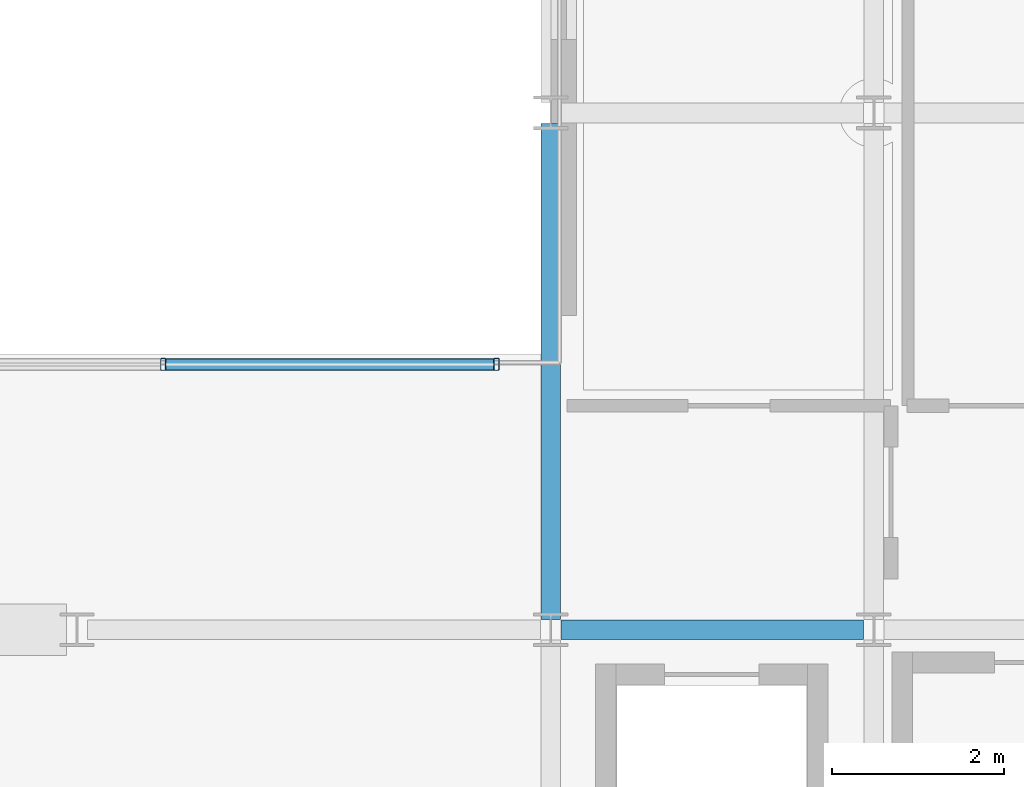
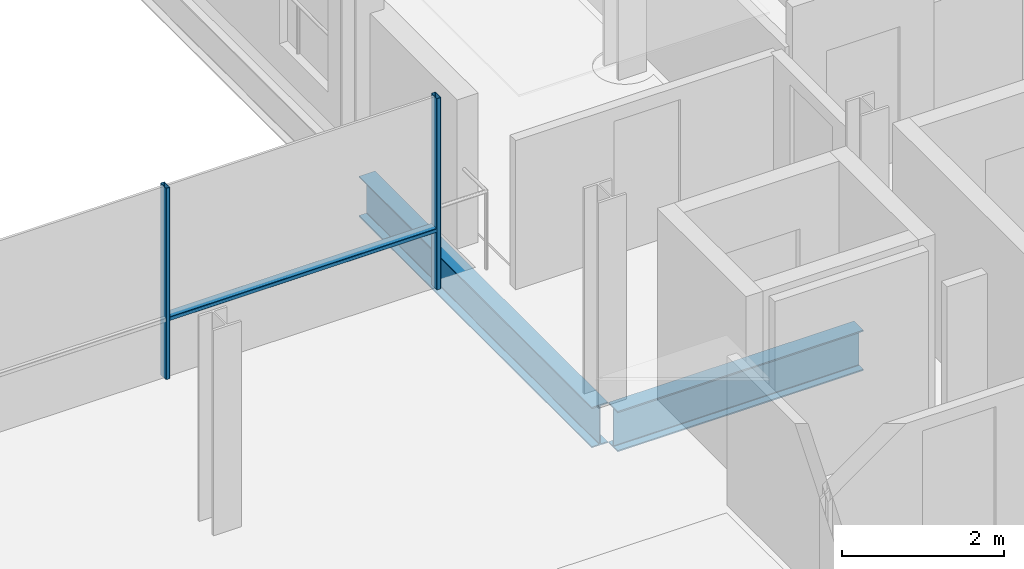
# One storey, part 15 of 38: 3 members, 2 beams, 1 element without a shape of its own.
"""IFC4 building model written with IfcOpenShell, lengths in metres."""

from ifc_helpers import new_model, si_unit, direction, frame, origin, origin_2d, place, context, subcontext, project, spatial, hollow_rectangle, i_section, extrude, material, layer, layer_set, material_profile, profile_set, type_object, element, aggregate, save


model = new_model("IFC4")

# Units and contexts
model_context = context("Model", 3, precision=1e-05, world=origin(), true_north=direction((0.0, 1.0)))
body_context = subcontext(model_context, "Body", "Model", "MODEL_VIEW")
ifc_project = project(units=[si_unit("LENGTHUNIT", "METRE"), si_unit("AREAUNIT", "SQUARE_METRE"), si_unit("VOLUMEUNIT", "CUBIC_METRE"), si_unit("PLANEANGLEUNIT", "RADIAN"), si_unit("MASSUNIT", "GRAM", prefix="KILO")], contexts=[model_context])

# Site, building, storey
site_placement = place(None, origin())
site = spatial("IfcSite", under=ifc_project, at=site_placement, CompositionType="ELEMENT")
building_placement = place(site_placement, origin())
building = spatial("IfcBuilding", under=site, at=building_placement, Name="Brevholm Reach", CompositionType="ELEMENT")
storey_placement = place(building_placement, frame((0.0, 0.0, 172.800048828125)))
storey = spatial("IfcBuildingStorey", under=building, at=storey_placement, Name="L52", CompositionType="ELEMENT", Elevation=172.800048828125)

# Beams
ifc_material_1 = material(Name="Structural Steel S355J2", Category="steel")
ifc_material_profile_1 = material_profile(ifc_material_1, i_section(OverallWidth=0.22900390625, OverallDepth=0.6123046875, WebThickness=0.011962890625, FlangeThickness=0.01953125, FilletRadius=0.0126953125, at=origin_2d()), Name="UKB 610x229x125")
ifc_profile_set_1 = profile_set([ifc_material_profile_1], Name="Structural Steel S355J2")
beam_type = type_object("IfcBeamType", Name="BM-SP610", PredefinedType="SPANDREL", material=ifc_profile_set_1)
beam_1_placement = place(storey_placement, frame((38.3701171875, 10.0, -0.51611328125), z_axis=(1.0, 0.0, 0.0), x_axis=(0.0, 1.0, 0.0)))
element("IfcBeam", 1, at=beam_1_placement, inside=storey, type_object=beam_type, Name="L52 SP-01 Framing Beam", PredefinedType="SPANDREL", context=body_context, shape_type="SweptSolid", body=[
    extrude(i_section(OverallWidth=0.22900390625, OverallDepth=0.6123046875, WebThickness=0.011962890625, FlangeThickness=0.01953125, FilletRadius=0.0126953125, at=origin_2d()), origin(), (0.0, 0.0, 1.0), 3.509765625),
])
beam_2_placement = place(storey_placement, frame((38.25, 10.1201171875, -0.51611328125), z_axis=(0.0, 1.0, 0.0), x_axis=(-1.0, 0.0, 0.0)))
element("IfcBeam", 2, at=beam_2_placement, inside=storey, type_object=beam_type, Name="L52 SP-01 Framing Beam", PredefinedType="SPANDREL", context=body_context, shape_type="SweptSolid", body=[
    extrude(i_section(OverallWidth=0.22900390625, OverallDepth=0.6123046875, WebThickness=0.011962890625, FlangeThickness=0.01953125, FilletRadius=0.0126953125, at=origin_2d()), origin(), (0.0, 0.0, 1.0), 5.759765625),
])

# Curtain wall, members
ifc_material_2 = material(Name="Dark Anodised Aluminium 6063-T6 and Solar-Control Glass", Category="aluminium")
ifc_layer = layer(ifc_material_2, 0.139892578125)
ifc_layer_set = layer_set([ifc_layer], Name="Dark Anodised Aluminium 6063-T6 and Solar-Control Glass")
curtain_wall_type = type_object("IfcCurtainWallType", Name="CW-02", PredefinedType="NOTDEFINED", material=ifc_layer_set)
curtain_wall_placement = place(storey_placement, origin())
curtain_wall = element("IfcCurtainWall", 3, at=curtain_wall_placement, inside=storey, type_object=curtain_wall_type, Name="L52 Curtain Wall CW-02", PredefinedType="NOTDEFINED")
ifc_material_3 = material(Name="Dark Anodised Aluminium 6063-T6", Category="aluminium")
ifc_material_profile_2 = material_profile(ifc_material_3, hollow_rectangle(XDim=0.06005859375, YDim=0.139892578125, WallThickness=0.0048828125, InnerFilletRadius=0.0048828125, OuterFilletRadius=0.010009765625, at=origin_2d()), Name="RHS 140x60x5")
ifc_profile_set_2 = profile_set([ifc_material_profile_2], Name="Dark Anodised Aluminium 6063-T6")
member_type_1 = type_object("IfcMemberType", Name="CWM-140", PredefinedType="MULLION", material=ifc_profile_set_2)
member_1_placement = place(storey_placement, frame((33.75, 13.080078125, 0.0), z_axis=(0.0, 0.0, 1.0), x_axis=(1.0, 0.0, 0.0)))
member_1 = element("IfcMember", 4, at=member_1_placement, type_object=member_type_1, Name="CM-140 Mullion 4", PredefinedType="MULLION", context=body_context, shape_type="SweptSolid", body=[
    extrude(hollow_rectangle(XDim=0.06005859375, YDim=0.139892578125, WallThickness=0.0048828125, InnerFilletRadius=0.0048828125, OuterFilletRadius=0.010009765625, at=origin_2d()), origin(), (0.0, 0.0, 1.0), 2.889892578125),
])
member_2_placement = place(storey_placement, frame((37.6201171875, 13.080078125, 0.0), z_axis=(0.0, 0.0, 1.0), x_axis=(1.0, 0.0, 0.0)))
member_2 = element("IfcMember", 5, at=member_2_placement, type_object=member_type_1, Name="CM-140 Mullion 5", PredefinedType="MULLION", context=body_context, shape_type="SweptSolid", body=[
    extrude(hollow_rectangle(XDim=0.06005859375, YDim=0.139892578125, WallThickness=0.0048828125, InnerFilletRadius=0.0048828125, OuterFilletRadius=0.010009765625, at=origin_2d()), origin(), (0.0, 0.0, 1.0), 2.889892578125),
])
ifc_material_4 = material(Name="Dark Anodised Aluminium 6063-T6", Category="aluminium")
ifc_material_profile_3 = material_profile(ifc_material_4, hollow_rectangle(XDim=0.06005859375, YDim=0.139892578125, WallThickness=0.0048828125, InnerFilletRadius=0.0048828125, OuterFilletRadius=0.010009765625, at=origin_2d()), Name="RHS 140x60x5")
ifc_profile_set_3 = profile_set([ifc_material_profile_3], Name="Dark Anodised Aluminium 6063-T6")
member_type_2 = type_object("IfcMemberType", Name="CWT-140", PredefinedType="NOTDEFINED", material=ifc_profile_set_3)
member_3_placement = place(storey_placement, frame((33.780029296875, 13.080078125, 0.89990234375), z_axis=(1.0, 0.0, 0.0), x_axis=(0.0, 0.0, 1.0)))
member_3 = element("IfcMember", 6, at=member_3_placement, type_object=member_type_2, Name="CT-140 Transom 4.1", ObjectType="TRANSOM", PredefinedType="USERDEFINED", context=body_context, shape_type="SweptSolid", body=[
    extrude(hollow_rectangle(XDim=0.06005859375, YDim=0.139892578125, WallThickness=0.0048828125, InnerFilletRadius=0.0048828125, OuterFilletRadius=0.010009765625, at=origin_2d()), origin(), (0.0, 0.0, 1.0), 3.81005859375),
])
aggregate(curtain_wall, [member_1, member_2, member_3])

save(model, "model.ifc")
